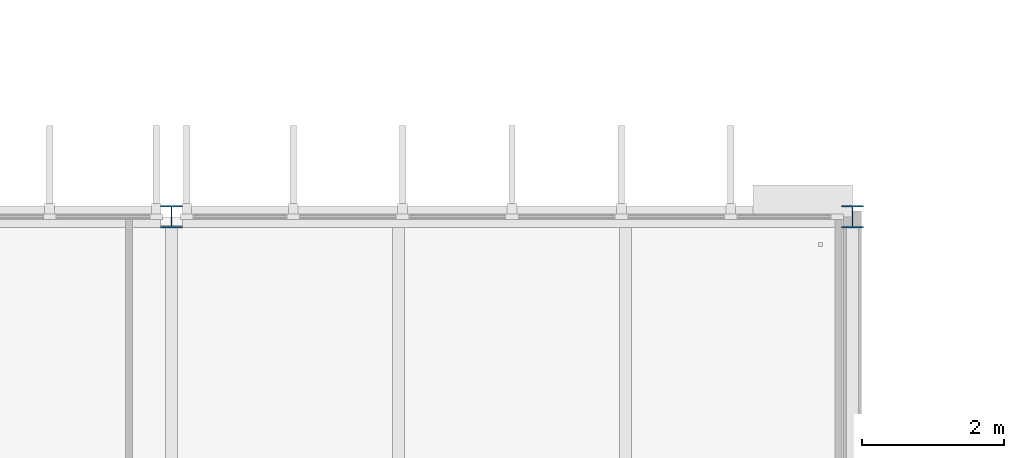
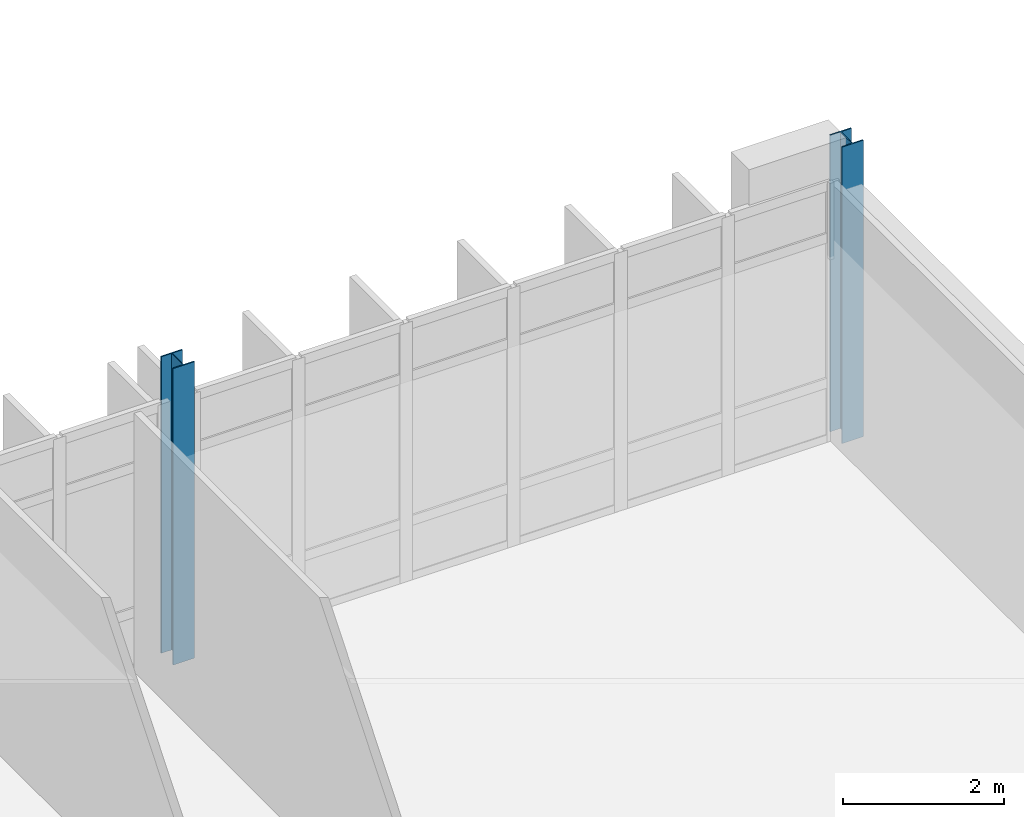
# One storey, part 8 of 110: 2 columns.
"""IFC4 building model written with IfcOpenShell, lengths in metres."""

from ifc_helpers import new_model, si_unit, direction, frame, origin, origin_2d, place, context, subcontext, project, spatial, i_section, extrude, material, material_profile, profile_set, type_object, element, save


model = new_model("IFC4")

# Units and contexts
model_context = context("Model", 3, precision=1e-05, world=origin(), true_north=direction((0.0, 1.0)))
body_context = subcontext(model_context, "Body", "Model", "MODEL_VIEW")
ifc_project = project(units=[si_unit("LENGTHUNIT", "METRE"), si_unit("AREAUNIT", "SQUARE_METRE"), si_unit("VOLUMEUNIT", "CUBIC_METRE"), si_unit("PLANEANGLEUNIT", "RADIAN"), si_unit("MASSUNIT", "GRAM", prefix="KILO")], contexts=[model_context])

# Site, building, storey
site_placement = place(None, origin())
site = spatial("IfcSite", under=ifc_project, at=site_placement, CompositionType="ELEMENT")
building_placement = place(site_placement, origin())
building = spatial("IfcBuilding", under=site, at=building_placement, Name="Dunescarp Central Library", CompositionType="ELEMENT")
storey_placement = place(building_placement, frame((0.0, 0.0, 9.60009765625)))
storey = spatial("IfcBuildingStorey", under=building, at=storey_placement, Name="L02", CompositionType="ELEMENT", Elevation=9.60009765625)

# Columns
ifc_material = material(Name="Steel S355JR", Category="steel")
ifc_material_profile = material_profile(ifc_material, i_section(OverallWidth=0.307373046875, OverallDepth=0.314453125, WebThickness=0.011962890625, FlangeThickness=0.018798828125, at=origin_2d()), Name="UC 305x305x118")
ifc_profile_set = profile_set([ifc_material_profile], Name="Steel S355JR")
column_type = type_object("IfcColumnType", Name="STR-COL-UC305X118", PredefinedType="COLUMN", material=ifc_profile_set)
for number, where, z_axis, x_axis, name in (
    (1, (67.199951171875, 36.800048828125, 0.0), (0.0, 0.0, 1.0), (1.0, 0.0, 0.0), "L02 column V2-672-368"),
    (2, (76.800048828125, 36.800048828125, 0.0), (0.0, 0.0, 1.0), (1.0, 0.0, 0.0), "L02 column V2-768-368"),
):
    element("IfcColumn", number, at=place(storey_placement, frame(where, z_axis=z_axis, x_axis=x_axis)), inside=storey, type_object=column_type, Name=name, PredefinedType="COLUMN", context=body_context, shape_type="SweptSolid", body=[
        extrude(i_section(OverallWidth=0.307373046875, OverallDepth=0.314453125, WebThickness=0.011962890625, FlangeThickness=0.018798828125, at=origin_2d()), origin(), (0.0, 0.0, 1.0), 4.5),
    ])

save(model, "model.ifc")
